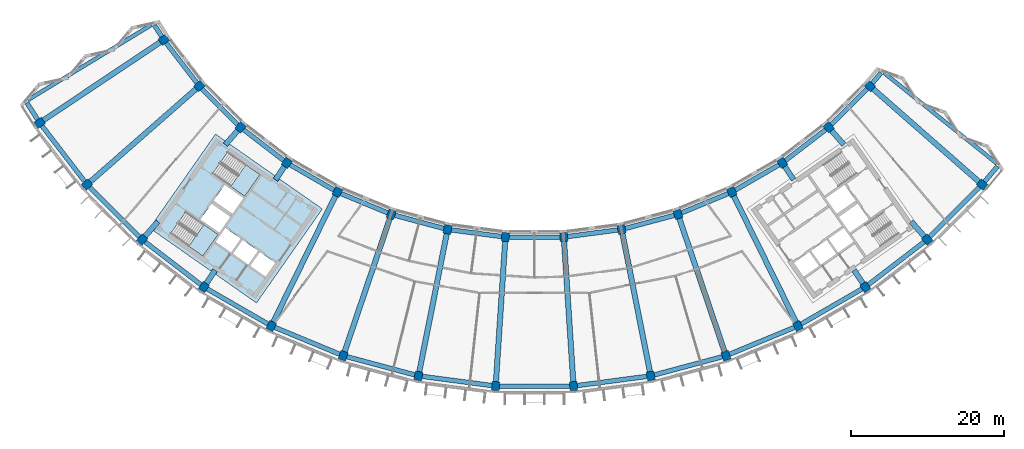
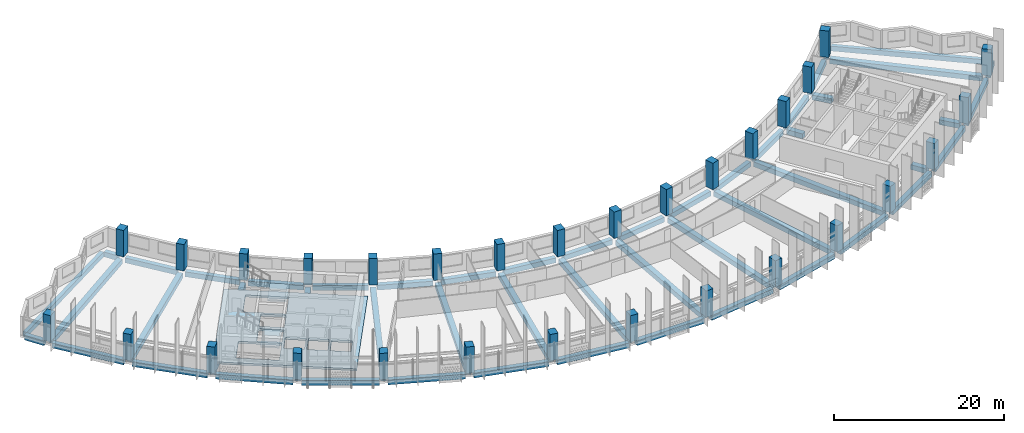
# One storey, part 1 of 28: 53 beams, 30 columns, 3 slabs, 2 elements without a shape of their own.
"""IFC4 building model written with IfcOpenShell, lengths in metres."""

from ifc_helpers import new_model, si_unit, direction, frame, origin, origin_2d, place, context, subcontext, project, spatial, polyline, rectangle, outline, extrude, material, layer, layer_set, material_profile, profile_set, type_object, element, aggregate, save


model = new_model("IFC4")

# Units and contexts
model_context = context("Model", 3, precision=1e-05, world=origin(), true_north=direction((0.0, 1.0)))
body_context = subcontext(model_context, "Body", "Model", "MODEL_VIEW")
ifc_project = project(units=[si_unit("LENGTHUNIT", "METRE"), si_unit("AREAUNIT", "SQUARE_METRE"), si_unit("VOLUMEUNIT", "CUBIC_METRE"), si_unit("PLANEANGLEUNIT", "RADIAN"), si_unit("MASSUNIT", "GRAM", prefix="KILO")], contexts=[model_context])

# Site, building, storey
site_placement = place(None, origin())
site = spatial("IfcSite", under=ifc_project, at=site_placement, CompositionType="ELEMENT")
building_placement = place(site_placement, origin())
building = spatial("IfcBuilding", under=site, at=building_placement, Name="Qamariyya Broadcast Tower", CompositionType="ELEMENT")
storey_placement = place(building_placement, frame((0.0, 0.0, 241.699951171875)))
storey = spatial("IfcBuildingStorey", under=building, at=storey_placement, Name="L58", CompositionType="ELEMENT", Elevation=241.699951171875)

# Columns
ifc_material_1 = material(Name="Concrete C60/75", Category="concrete")
ifc_material_profile_1 = material_profile(ifc_material_1, rectangle(XDim=1.0, YDim=1.14990234375, at=origin_2d()))
ifc_profile_set_1 = profile_set([ifc_material_profile_1], Name="Concrete C60/75")
column_type = type_object("IfcColumnType", Name="RC column 1000 x 1150 C60/75", PredefinedType="COLUMN", material=ifc_profile_set_1)
for number, where, z_axis, x_axis, name in (
    (1, (-48.43310546875, -32.362060546875, 0.0), (0.0, 0.0, 1.0), (0.55557023302, -0.831469612303, 0.0), "Column C11 L58 B-R03"),
    (2, (-64.646728515625, -43.195556640625, 0.0), (0.0, 0.0, 1.0), (0.55557023302, -0.831469612303, 0.0), "Column C11 L58 C-R03"),
    (3, (-43.794677734375, -38.406982421875, 0.0), (0.0, 0.0, 1.0), (0.6593458151, -0.751839807479, 0.0), "Column C11 L58 B-R04"),
    (4, (-58.45556640625, -51.26416015625, 0.0), (0.0, 0.0, 1.0), (0.6593458151, -0.751839807479, 0.0), "Column C11 L58 C-R04"),
    (5, (-38.406982421875, -43.794677734375, 0.0), (0.0, 0.0, 1.0), (0.751839807479, -0.6593458151, 0.0), "Column C11 L58 B-R05"),
    (6, (-51.26416015625, -58.45556640625, 0.0), (0.0, 0.0, 1.0), (0.751839807479, -0.6593458151, 0.0), "Column C11 L58 C-R05"),
    (7, (-32.362060546875, -48.43310546875, 0.0), (0.0, 0.0, 1.0), (0.831469612303, -0.55557023302, 0.0), "Column C11 L58 B-R06"),
    (8, (-43.195556640625, -64.646728515625, 0.0), (0.0, 0.0, 1.0), (0.831469612303, -0.55557023302, 0.0), "Column C11 L58 C-R06"),
    (9, (-25.763427734375, -52.242919921875, 0.0), (0.0, 0.0, 1.0), (0.896872741533, -0.442288690219, 0.0), "Column C11 L58 B-R07"),
    (10, (-34.387939453125, -69.73193359375, 0.0), (0.0, 0.0, 1.0), (0.896872741533, -0.442288690219, 0.0), "Column C11 L58 C-R07"),
    (11, (-18.723876953125, -55.15869140625, 0.0), (0.0, 0.0, 1.0), (0.946930129495, -0.321439465303, 0.0), "Column C11 L58 B-R08"),
    (12, (-24.991943359375, -73.623779296875, 0.0), (0.0, 0.0, 1.0), (0.946930129495, -0.321439465303, 0.0), "Column C11 L58 C-R08"),
    (13, (-11.364013671875, -57.130859375, 0.0), (0.0, 0.0, 1.0), (0.980785280403, -0.195090322016, 0.0), "Column C11 L58 B-R09"),
    (14, (-15.168212890625, -76.256103515625, 0.0), (0.0, 0.0, 1.0), (0.980785280403, -0.195090322016, 0.0), "Column C11 L58 C-R09"),
    (15, (-3.809814453125, -58.125244140625, 0.0), (0.0, 0.0, 1.0), (0.997858923239, -0.06540312923, 0.0), "Column C11 L58 B-R10"),
    (16, (-5.085205078125, -77.58349609375, 0.0), (0.0, 0.0, 1.0), (0.997858923239, -0.06540312923, 0.0), "Column C11 L58 C-R10"),
    (17, (3.809814453125, -58.125244140625, 0.0), (0.0, 0.0, 1.0), (0.997858923239, 0.06540312923, 0.0), "Column C11 L58 B-R11"),
    (18, (5.085205078125, -77.58349609375, 0.0), (0.0, 0.0, 1.0), (0.997858923239, 0.06540312923, 0.0), "Column C11 L58 C-R11"),
    (19, (11.364013671875, -57.130859375, 0.0), (0.0, 0.0, 1.0), (0.980785280403, 0.195090322016, 0.0), "Column C11 L58 B-R12"),
    (20, (15.168212890625, -76.256103515625, 0.0), (0.0, 0.0, 1.0), (0.980785280403, 0.195090322016, 0.0), "Column C11 L58 C-R12"),
    (21, (18.723876953125, -55.15869140625, 0.0), (0.0, 0.0, 1.0), (0.946930129495, 0.321439465303, 0.0), "Column C11 L58 B-R13"),
    (22, (24.991943359375, -73.623779296875, 0.0), (0.0, 0.0, 1.0), (0.946930129495, 0.321439465303, 0.0), "Column C11 L58 C-R13"),
    (23, (25.763427734375, -52.242919921875, 0.0), (0.0, 0.0, 1.0), (0.896872741533, 0.442288690219, 0.0), "Column C11 L58 B-R14"),
    (24, (34.387939453125, -69.73193359375, 0.0), (0.0, 0.0, 1.0), (0.896872741533, 0.442288690219, 0.0), "Column C11 L58 C-R14"),
    (25, (32.362060546875, -48.43310546875, 0.0), (0.0, 0.0, 1.0), (0.831469612303, 0.55557023302, 0.0), "Column C11 L58 B-R15"),
    (26, (43.195556640625, -64.646728515625, 0.0), (0.0, 0.0, 1.0), (0.831469612303, 0.55557023302, 0.0), "Column C11 L58 C-R15"),
    (27, (38.406982421875, -43.794677734375, 0.0), (0.0, 0.0, 1.0), (0.751839807479, 0.6593458151, 0.0), "Column C11 L58 B-R16"),
    (28, (51.26416015625, -58.45556640625, 0.0), (0.0, 0.0, 1.0), (0.751839807479, 0.6593458151, 0.0), "Column C11 L58 C-R16"),
    (29, (43.794677734375, -38.406982421875, 0.0), (0.0, 0.0, 1.0), (0.6593458151, 0.751839807479, 0.0), "Column C11 L58 B-R17"),
    (30, (58.45556640625, -51.26416015625, 0.0), (0.0, 0.0, 1.0), (0.6593458151, 0.751839807479, 0.0), "Column C11 L58 C-R17"),
):
    element("IfcColumn", number, at=place(storey_placement, frame(where, z_axis=z_axis, x_axis=x_axis)), inside=storey, type_object=column_type, Name=name, PredefinedType="COLUMN", context=body_context, shape_type="SweptSolid", body=[
        extrude(rectangle(XDim=1.0, YDim=1.14990234375, at=origin_2d()), origin(), (0.0, 0.0, 1.0), 3.800048828125),
    ])

# Beams
ifc_material_2 = material(Name="Concrete C40/50", Category="concrete")
ifc_material_profile_2 = material_profile(ifc_material_2, rectangle(XDim=0.60009765625, YDim=0.699951171875, at=origin_2d()))
ifc_profile_set_2 = profile_set([ifc_material_profile_2], Name="Concrete C40/50")
beam_type_1 = type_object("IfcBeamType", Name="RC edge beam 600 x 700 C40/50", PredefinedType="SPANDREL", material=ifc_profile_set_2)
for number, where, z_axis, x_axis, name in (
    (31, (-48.128173828125, -32.759521484375, -0.64990234375), (0.608788546151, -0.79333253184, 0.0), (0.79333253184, 0.608788546151, 0.0), "Edge beam B20 L58 B R03-R04"),
    (32, (-43.4404296875, -38.76123046875, -0.64990234375), (0.707106781187, -0.707106781187, 0.0), (0.707106781187, 0.707106781187, 0.0), "Edge beam B20 L58 B R04-R05"),
    (33, (-38.00927734375, -44.099609375, -0.64990234375), (0.79333253184, -0.608788546151, 0.0), (0.608788546151, 0.79333253184, 0.0), "Edge beam B20 L58 B R05-R06"),
):
    element("IfcBeam", number, at=place(storey_placement, frame(where, z_axis=z_axis, x_axis=x_axis)), inside=storey, type_object=beam_type_1, Name=name, PredefinedType="SPANDREL", context=body_context, shape_type="SweptSolid", body=[
        extrude(rectangle(XDim=0.60009765625, YDim=0.699951171875, at=origin_2d()), origin(), (0.0, 0.0, 1.0), 6.617431640625),
    ])
for number, where, z_axis, x_axis, name in (
    (34, (-31.927978515625, -48.68359375, -0.64990234375), (0.866027686223, -0.499996046679, 0.0), (0.499996046679, 0.866027686223, 0.0), "Edge beam B20 L58 B R06-R07"),
    (35, (-25.30029296875, -52.4345703125, -0.64990234375), (0.923870685948, -0.382704789159, 0.0), (0.382704789159, 0.923870685948, 0.0), "Edge beam B20 L58 B R07-R08"),
):
    element("IfcBeam", number, at=place(storey_placement, frame(where, z_axis=z_axis, x_axis=x_axis)), inside=storey, type_object=beam_type_1, Name=name, PredefinedType="SPANDREL", context=body_context, shape_type="SweptSolid", body=[
        extrude(rectangle(XDim=0.60009765625, YDim=0.699951171875, at=origin_2d()), origin(), (0.0, 0.0, 1.0), 6.6171875),
    ])
for number, where, z_axis, x_axis, name in (
    (36, (-18.23974609375, -55.288330078125, -0.64990234375), (0.965927466282, -0.258812924486, 0.0), (0.258812924486, 0.965927466282, 0.0), "Edge beam B20 L58 B R08-R09"),
    (37, (-10.8671875, -57.196044921875, -0.64990234375), (0.991444372314, -0.130529906942, 0.0), (0.130529906942, 0.991444372314, 0.0), "Edge beam B20 L58 B R09-R10"),
):
    element("IfcBeam", number, at=place(storey_placement, frame(where, z_axis=z_axis, x_axis=x_axis)), inside=storey, type_object=beam_type_1, Name=name, PredefinedType="SPANDREL", context=body_context, shape_type="SweptSolid", body=[
        extrude(rectangle(XDim=0.60009765625, YDim=0.699951171875, at=origin_2d()), origin(), (0.0, 0.0, 1.0), 6.617431640625),
    ])
beam_1_placement = place(storey_placement, frame((-3.30859375, -58.125244140625, -0.64990234375), z_axis=(1.0, 0.0, 0.0), x_axis=(0.0, 1.0, 0.0)))
element("IfcBeam", 38, at=beam_1_placement, inside=storey, type_object=beam_type_1, Name="Edge beam B20 L58 B R10-R11", PredefinedType="SPANDREL", context=body_context, shape_type="SweptSolid", body=[
    extrude(rectangle(XDim=0.60009765625, YDim=0.699951171875, at=origin_2d()), origin(), (0.0, 0.0, 1.0), 6.6171875),
])
for number, where, z_axis, x_axis, name in (
    (39, (4.306396484375, -58.059814453125, -0.64990234375), (0.991444372314, 0.130529906942, 0.0), (-0.130529906942, 0.991444372314, 0.0), "Edge beam B20 L58 B R11-R12"),
    (40, (11.847900390625, -57.0009765625, -0.64990234375), (0.965927466282, 0.258812924486, 0.0), (-0.258812924486, 0.965927466282, 0.0), "Edge beam B20 L58 B R12-R13"),
):
    element("IfcBeam", number, at=place(storey_placement, frame(where, z_axis=z_axis, x_axis=x_axis)), inside=storey, type_object=beam_type_1, Name=name, PredefinedType="SPANDREL", context=body_context, shape_type="SweptSolid", body=[
        extrude(rectangle(XDim=0.60009765625, YDim=0.699951171875, at=origin_2d()), origin(), (0.0, 0.0, 1.0), 6.617431640625),
    ])
for number, where, z_axis, x_axis, name in (
    (41, (19.186767578125, -54.967041015625, -0.64990234375), (0.923870685948, 0.382704789159, 0.0), (-0.382704789159, 0.923870685948, 0.0), "Edge beam B20 L58 B R13-R14"),
    (42, (26.197265625, -51.9921875, -0.64990234375), (0.866027686223, 0.499996046679, 0.0), (-0.499996046679, 0.866027686223, 0.0), "Edge beam B20 L58 B R14-R15"),
):
    element("IfcBeam", number, at=place(storey_placement, frame(where, z_axis=z_axis, x_axis=x_axis)), inside=storey, type_object=beam_type_1, Name=name, PredefinedType="SPANDREL", context=body_context, shape_type="SweptSolid", body=[
        extrude(rectangle(XDim=0.60009765625, YDim=0.699951171875, at=origin_2d()), origin(), (0.0, 0.0, 1.0), 6.6171875),
    ])
for number, where, z_axis, x_axis, name in (
    (43, (32.759521484375, -48.128173828125, -0.64990234375), (0.79333253184, 0.608788546151, 0.0), (-0.608788546151, 0.79333253184, 0.0), "Edge beam B20 L58 B R15-R16"),
    (44, (38.76123046875, -43.4404296875, -0.64990234375), (0.707106781187, 0.707106781187, 0.0), (-0.707106781187, 0.707106781187, 0.0), "Edge beam B20 L58 B R16-R17"),
):
    element("IfcBeam", number, at=place(storey_placement, frame(where, z_axis=z_axis, x_axis=x_axis)), inside=storey, type_object=beam_type_1, Name=name, PredefinedType="SPANDREL", context=body_context, shape_type="SweptSolid", body=[
        extrude(rectangle(XDim=0.60009765625, YDim=0.699951171875, at=origin_2d()), origin(), (0.0, 0.0, 1.0), 6.617431640625),
    ])
for number, where, z_axis, x_axis, name in (
    (45, (-64.341796875, -43.593017578125, -0.64990234375), (0.608761882331, -0.793352992445, 0.0), (0.793352992445, 0.608761882331, 0.0), "Edge beam B20 L58 C R03-R04"),
    (46, (-58.101318359375, -51.618408203125, -0.64990234375), (0.707106781187, -0.707106781187, 0.0), (0.707106781187, 0.707106781187, 0.0), "Edge beam B20 L58 C R04-R05"),
    (47, (-50.86669921875, -58.760498046875, -0.64990234375), (0.793352992445, -0.608761882331, 0.0), (0.608761882331, 0.793352992445, 0.0), "Edge beam B20 L58 C R05-R06"),
    (48, (-42.76171875, -64.897216796875, -0.64990234375), (0.866032154434, -0.49998830735, 0.0), (0.49998830735, 0.866032154434, 0.0), "Edge beam B20 L58 C R06-R07"),
    (49, (-33.925048828125, -69.923583984375, -0.64990234375), (0.923876946533, -0.382689675409, 0.0), (0.382689675409, 0.923876946533, 0.0), "Edge beam B20 L58 C R07-R08"),
):
    element("IfcBeam", number, at=place(storey_placement, frame(where, z_axis=z_axis, x_axis=x_axis)), inside=storey, type_object=beam_type_1, Name=name, PredefinedType="SPANDREL", context=body_context, shape_type="SweptSolid", body=[
        extrude(rectangle(XDim=0.60009765625, YDim=0.699951171875, at=origin_2d()), origin(), (0.0, 0.0, 1.0), 9.168212890625),
    ])
for number, where, z_axis, x_axis, name in (
    (50, (-24.5078125, -73.75341796875, -0.64990234375), (0.965919522093, -0.258842571536, 0.0), (0.258842571536, 0.965919522093, 0.0), "Edge beam B20 L58 C R08-R09"),
    (51, (-14.67138671875, -76.321533203125, -0.64990234375), (0.991446770895, -0.130511687147, 0.0), (0.130511687147, 0.991446770895, 0.0), "Edge beam B20 L58 C R09-R10"),
    (52, (-4.583984375, -77.58349609375, -0.64990234375), (1.0, 0.0, 0.0), (0.0, 1.0, 0.0), "Edge beam B20 L58 C R10-R11"),
    (53, (5.581787109375, -77.51806640625, -0.64990234375), (0.991446770895, 0.130511687147, 0.0), (-0.130511687147, 0.991446770895, 0.0), "Edge beam B20 L58 C R11-R12"),
    (54, (15.65234375, -76.12646484375, -0.64990234375), (0.965919522093, 0.258842571536, 0.0), (-0.258842571536, 0.965919522093, 0.0), "Edge beam B20 L58 C R12-R13"),
):
    element("IfcBeam", number, at=place(storey_placement, frame(where, z_axis=z_axis, x_axis=x_axis)), inside=storey, type_object=beam_type_1, Name=name, PredefinedType="SPANDREL", context=body_context, shape_type="SweptSolid", body=[
        extrude(rectangle(XDim=0.60009765625, YDim=0.699951171875, at=origin_2d()), origin(), (0.0, 0.0, 1.0), 9.16796875),
    ])
for number, where, z_axis, x_axis, name in (
    (55, (25.454833984375, -73.43212890625, -0.64990234375), (0.923876946533, 0.382689675409, 0.0), (-0.382689675409, 0.923876946533, 0.0), "Edge beam B20 L58 C R13-R14"),
    (56, (34.82177734375, -69.481201171875, -0.64990234375), (0.866032154434, 0.49998830735, 0.0), (-0.49998830735, 0.866032154434, 0.0), "Edge beam B20 L58 C R14-R15"),
    (57, (43.593017578125, -64.341796875, -0.64990234375), (0.793352992445, 0.608761882331, 0.0), (-0.608761882331, 0.793352992445, 0.0), "Edge beam B20 L58 C R15-R16"),
    (58, (51.618408203125, -58.101318359375, -0.64990234375), (0.707106781187, 0.707106781187, 0.0), (-0.707106781187, 0.707106781187, 0.0), "Edge beam B20 L58 C R16-R17"),
):
    element("IfcBeam", number, at=place(storey_placement, frame(where, z_axis=z_axis, x_axis=x_axis)), inside=storey, type_object=beam_type_1, Name=name, PredefinedType="SPANDREL", context=body_context, shape_type="SweptSolid", body=[
        extrude(rectangle(XDim=0.60009765625, YDim=0.699951171875, at=origin_2d()), origin(), (0.0, 0.0, 1.0), 9.168212890625),
    ])
ifc_material_profile_3 = material_profile(ifc_material_2, rectangle(XDim=0.60009765625, YDim=0.699951171875, at=origin_2d()))
ifc_profile_set_3 = profile_set([ifc_material_profile_3], Name="Concrete C40/50")
beam_type_2 = type_object("IfcBeamType", Name="RC horn beam 600 x 700 C40/50", PredefinedType="BEAM", material=ifc_profile_set_3)
beam_2_placement = place(storey_placement, frame((-48.701904296875, -31.940185546875, -0.64990234375), z_axis=(-0.537631535687, 0.843179892926, 0.0), x_axis=(-0.843179892926, -0.537631535687, 0.0)))
element("IfcBeam", 59, at=beam_2_placement, inside=storey, type_object=beam_type_2, Name="Horn beam B19 L58 W B-R03", PredefinedType="BEAM", context=body_context, shape_type="SweptSolid", body=[
    extrude(rectangle(XDim=0.60009765625, YDim=0.699951171875, at=origin_2d()), origin(), (0.0, 0.0, 1.0), 1.754638671875),
])
beam_3_placement = place(storey_placement, frame((-64.91552734375, -42.77392578125, -0.64990234375), z_axis=(-0.537594157109, 0.84320372523, 0.0), x_axis=(-0.84320372523, -0.537594157109, 0.0)))
element("IfcBeam", 60, at=beam_3_placement, inside=storey, type_object=beam_type_2, Name="Horn beam B19 L58 W C-R03", PredefinedType="BEAM", context=body_context, shape_type="SweptSolid", body=[
    extrude(rectangle(XDim=0.60009765625, YDim=0.699951171875, at=origin_2d()), origin(), (0.0, 0.0, 1.0), 2.593017578125),
])
beam_4_placement = place(storey_placement, frame((44.1162109375, -38.02392578125, -0.64990234375), z_axis=(0.643081137273, 0.765798048367, 0.0), x_axis=(-0.765798048367, 0.643081137273, 0.0)))
element("IfcBeam", 61, at=beam_4_placement, inside=storey, type_object=beam_type_2, Name="Horn beam B19 L58 E B-R17", PredefinedType="BEAM", context=body_context, shape_type="SweptSolid", body=[
    extrude(rectangle(XDim=0.60009765625, YDim=0.699951171875, at=origin_2d()), origin(), (0.0, 0.0, 1.0), 1.754638671875),
])
beam_5_placement = place(storey_placement, frame((58.777099609375, -50.881103515625, -0.64990234375), z_axis=(0.643050760773, 0.765823556095, 0.0), x_axis=(-0.765823556095, 0.643050760773, 0.0)))
element("IfcBeam", 62, at=beam_5_placement, inside=storey, type_object=beam_type_2, Name="Horn beam B19 L58 E C-R17", PredefinedType="BEAM", context=body_context, shape_type="SweptSolid", body=[
    extrude(rectangle(XDim=0.60009765625, YDim=0.699951171875, at=origin_2d()), origin(), (0.0, 0.0, 1.0), 2.593017578125),
])
ifc_material_profile_4 = material_profile(ifc_material_2, rectangle(XDim=0.5, YDim=0.699951171875, at=origin_2d()))
ifc_profile_set_4 = profile_set([ifc_material_profile_4], Name="Concrete C40/50")
beam_type_3 = type_object("IfcBeamType", Name="RC horn cap beam 500 x 700 C40/50", PredefinedType="BEAM", material=ifc_profile_set_4)
beam_6_placement = place(storey_placement, frame((-50.035888671875, -30.40576171875, -0.64990234375), z_axis=(-0.854585452951, -0.519310796734, 0.0), x_axis=(0.519310796734, -0.854585452951, 0.0)))
element("IfcBeam", 63, at=beam_6_placement, inside=storey, type_object=beam_type_3, Name="Horn cap beam B21 L58 W B-C", PredefinedType="BEAM", context=body_context, shape_type="SweptSolid", body=[
    extrude(rectangle(XDim=0.5, YDim=0.699951171875, at=origin_2d()), origin(), (0.0, 0.0, 1.0), 18.89990234375),
])
beam_7_placement = place(storey_placement, frame((45.63916015625, -36.676513671875, -0.64990234375), z_axis=(0.779488210445, -0.626416897742, 0.0), x_axis=(0.626416897742, 0.779488210445, 0.0)))
element("IfcBeam", 64, at=beam_7_placement, inside=storey, type_object=beam_type_3, Name="Horn cap beam B21 L58 E B-C", PredefinedType="BEAM", context=body_context, shape_type="SweptSolid", body=[
    extrude(rectangle(XDim=0.5, YDim=0.699951171875, at=origin_2d()), origin(), (0.0, 0.0, 1.0), 18.900146484375),
])
ifc_material_profile_5 = material_profile(ifc_material_2, rectangle(XDim=0.699951171875, YDim=0.699951171875, at=origin_2d()))
ifc_profile_set_5 = profile_set([ifc_material_profile_5], Name="Concrete C40/50")
beam_type_4 = type_object("IfcBeamType", Name="RC radial beam 700 x 700 C40/50", PredefinedType="BEAM", material=ifc_profile_set_5)
beam_8_placement = place(storey_placement, frame((-48.9111328125, -32.681396484375, -0.64990234375), z_axis=(-0.831468530479, -0.55557185208, 0.0), x_axis=(0.55557185208, -0.831468530479, 0.0)))
element("IfcBeam", 65, at=beam_8_placement, inside=storey, type_object=beam_type_4, Name="Radial beam B18 L58 R03 B-C", PredefinedType="BEAM", context=body_context, shape_type="SweptSolid", body=[
    extrude(rectangle(XDim=0.699951171875, YDim=0.699951171875, at=origin_2d()), origin(), (0.0, 0.0, 1.0), 18.35009765625),
])
beam_9_placement = place(storey_placement, frame((-44.22705078125, -38.7861328125, -0.64990234375), z_axis=(-0.751840222646, -0.659345341692, 0.0), x_axis=(0.659345341692, -0.751840222646, 0.0)))
element("IfcBeam", 66, at=beam_9_placement, inside=storey, type_object=beam_type_4, Name="Radial beam B18 L58 R04 B-C", PredefinedType="BEAM", context=body_context, shape_type="SweptSolid", body=[
    extrude(rectangle(XDim=0.699951171875, YDim=0.699951171875, at=origin_2d()), origin(), (0.0, 0.0, 1.0), 18.349853515625),
])
beam_10_placement = place(storey_placement, frame((-38.7861328125, -44.22705078125, -0.64990234375), z_axis=(-0.659347500472, -0.751838329444, 0.0), x_axis=(0.751838329444, -0.659347500472, 0.0)))
element("IfcBeam", 67, at=beam_10_placement, inside=storey, type_object=beam_type_4, Name="Radial beam B18 L58 R05 B-C", PredefinedType="BEAM", context=body_context, shape_type="SweptSolid", body=[
    extrude(rectangle(XDim=0.699951171875, YDim=0.699951171875, at=origin_2d()), origin(), (0.0, 0.0, 1.0), 2.43896484375),
])
beam_11_placement = place(storey_placement, frame((-49.1943359375, -56.095458984375, -0.64990234375), z_axis=(-0.65936701245, -0.751821217373, 0.0), x_axis=(0.751821217373, -0.65936701245, 0.0)))
element("IfcBeam", 68, at=beam_11_placement, inside=storey, type_object=beam_type_4, Name="Radial beam B18 L58 R05 B-C", PredefinedType="BEAM", context=body_context, shape_type="SweptSolid", body=[
    extrude(rectangle(XDim=0.699951171875, YDim=0.699951171875, at=origin_2d()), origin(), (0.0, 0.0, 1.0), 2.56396484375),
])
beam_12_placement = place(storey_placement, frame((-32.681396484375, -48.9111328125, -0.64990234375), z_axis=(-0.555589685374, -0.831456614326, 0.0), x_axis=(0.831456614326, -0.555589685374, 0.0)))
element("IfcBeam", 69, at=beam_12_placement, inside=storey, type_object=beam_type_4, Name="Radial beam B18 L58 R06 B-C", PredefinedType="BEAM", context=body_context, shape_type="SweptSolid", body=[
    extrude(rectangle(XDim=0.699951171875, YDim=0.699951171875, at=origin_2d()), origin(), (0.0, 0.0, 1.0), 2.08935546875),
])
beam_13_placement = place(storey_placement, frame((-41.733154296875, -62.458251953125, -0.64990234375), z_axis=(-0.555630982199, -0.831429017788, 0.0), x_axis=(0.831429017788, -0.555630982199, 0.0)))
element("IfcBeam", 70, at=beam_13_placement, inside=storey, type_object=beam_type_4, Name="Radial beam B18 L58 R06 B-C", PredefinedType="BEAM", context=body_context, shape_type="SweptSolid", body=[
    extrude(rectangle(XDim=0.699951171875, YDim=0.699951171875, at=origin_2d()), origin(), (0.0, 0.0, 1.0), 2.05712890625),
])
beam_14_placement = place(storey_placement, frame((-26.017578125, -52.758544921875, -0.64990234375), z_axis=(-0.442289405452, -0.896872388819, 0.0), x_axis=(0.896872388819, -0.442289405452, 0.0)))
element("IfcBeam", 71, at=beam_14_placement, inside=storey, type_object=beam_type_4, Name="Radial beam B18 L58 R07 B-C", PredefinedType="BEAM", context=body_context, shape_type="SweptSolid", body=[
    extrude(rectangle(XDim=0.699951171875, YDim=0.699951171875, at=origin_2d()), origin(), (0.0, 0.0, 1.0), 18.349853515625),
])
for number, where, z_axis, x_axis, name in (
    (72, (-18.90869140625, -55.703125, -0.64990234375), (-0.321439728167, -0.946930040265, 0.0), (0.946930040265, -0.321439728167, 0.0), "Radial beam B18 L58 R08 B-C"),
    (73, (-11.47607421875, -57.694580078125, -0.64990234375), (-0.195097720648, -0.980783808695, 0.0), (0.980783808695, -0.195097720648, 0.0), "Radial beam B18 L58 R09 B-C"),
    (74, (-3.847412109375, -58.698974609375, -0.64990234375), (-0.065405444204, -0.997858771505, 0.0), (0.997858771505, -0.065405444204, 0.0), "Radial beam B18 L58 R10 B-C"),
    (75, (3.847412109375, -58.698974609375, -0.64990234375), (0.065405444204, -0.997858771505, 0.0), (0.997858771505, 0.065405444204, 0.0), "Radial beam B18 L58 R11 B-C"),
    (76, (11.47607421875, -57.694580078125, -0.64990234375), (0.195097720648, -0.980783808695, 0.0), (0.980783808695, 0.195097720648, 0.0), "Radial beam B18 L58 R12 B-C"),
    (77, (18.90869140625, -55.703125, -0.64990234375), (0.321439728167, -0.946930040265, 0.0), (0.946930040265, 0.321439728167, 0.0), "Radial beam B18 L58 R13 B-C"),
):
    element("IfcBeam", number, at=place(storey_placement, frame(where, z_axis=z_axis, x_axis=x_axis)), inside=storey, type_object=beam_type_4, Name=name, PredefinedType="BEAM", context=body_context, shape_type="SweptSolid", body=[
        extrude(rectangle(XDim=0.699951171875, YDim=0.699951171875, at=origin_2d()), origin(), (0.0, 0.0, 1.0), 18.35009765625),
    ])
beam_15_placement = place(storey_placement, frame((26.017578125, -52.758544921875, -0.64990234375), z_axis=(0.442289405452, -0.896872388819, 0.0), x_axis=(0.896872388819, 0.442289405452, 0.0)))
element("IfcBeam", 78, at=beam_15_placement, inside=storey, type_object=beam_type_4, Name="Radial beam B18 L58 R14 B-C", PredefinedType="BEAM", context=body_context, shape_type="SweptSolid", body=[
    extrude(rectangle(XDim=0.699951171875, YDim=0.699951171875, at=origin_2d()), origin(), (0.0, 0.0, 1.0), 18.349853515625),
])
beam_16_placement = place(storey_placement, frame((32.681396484375, -48.9111328125, -0.64990234375), z_axis=(0.555589685374, -0.831456614326, 0.0), x_axis=(0.831456614326, 0.555589685374, 0.0)))
element("IfcBeam", 79, at=beam_16_placement, inside=storey, type_object=beam_type_4, Name="Radial beam B18 L58 R15 B-C", PredefinedType="BEAM", context=body_context, shape_type="SweptSolid", body=[
    extrude(rectangle(XDim=0.699951171875, YDim=0.699951171875, at=origin_2d()), origin(), (0.0, 0.0, 1.0), 2.08935546875),
])
beam_17_placement = place(storey_placement, frame((41.733154296875, -62.458251953125, -0.64990234375), z_axis=(0.555630982199, -0.831429017788, 0.0), x_axis=(0.831429017788, 0.555630982199, 0.0)))
element("IfcBeam", 80, at=beam_17_placement, inside=storey, type_object=beam_type_4, Name="Radial beam B18 L58 R15 B-C", PredefinedType="BEAM", context=body_context, shape_type="SweptSolid", body=[
    extrude(rectangle(XDim=0.699951171875, YDim=0.699951171875, at=origin_2d()), origin(), (0.0, 0.0, 1.0), 2.05712890625),
])
beam_18_placement = place(storey_placement, frame((38.7861328125, -44.22705078125, -0.64990234375), z_axis=(0.659347500472, -0.751838329444, 0.0), x_axis=(0.751838329444, 0.659347500472, 0.0)))
element("IfcBeam", 81, at=beam_18_placement, inside=storey, type_object=beam_type_4, Name="Radial beam B18 L58 R16 B-C", PredefinedType="BEAM", context=body_context, shape_type="SweptSolid", body=[
    extrude(rectangle(XDim=0.699951171875, YDim=0.699951171875, at=origin_2d()), origin(), (0.0, 0.0, 1.0), 2.43896484375),
])
beam_19_placement = place(storey_placement, frame((49.1943359375, -56.095458984375, -0.64990234375), z_axis=(0.65936701245, -0.751821217373, 0.0), x_axis=(0.751821217373, 0.65936701245, 0.0)))
element("IfcBeam", 82, at=beam_19_placement, inside=storey, type_object=beam_type_4, Name="Radial beam B18 L58 R16 B-C", PredefinedType="BEAM", context=body_context, shape_type="SweptSolid", body=[
    extrude(rectangle(XDim=0.699951171875, YDim=0.699951171875, at=origin_2d()), origin(), (0.0, 0.0, 1.0), 2.56396484375),
])
beam_20_placement = place(storey_placement, frame((44.22705078125, -38.7861328125, -0.64990234375), z_axis=(0.751840222646, -0.659345341692, 0.0), x_axis=(0.659345341692, 0.751840222646, 0.0)))
element("IfcBeam", 83, at=beam_20_placement, inside=storey, type_object=beam_type_4, Name="Radial beam B18 L58 R17 B-C", PredefinedType="BEAM", context=body_context, shape_type="SweptSolid", body=[
    extrude(rectangle(XDim=0.699951171875, YDim=0.699951171875, at=origin_2d()), origin(), (0.0, 0.0, 1.0), 18.349853515625),
])

# Slab
ifc_layer_1 = layer(ifc_material_2, 0.300048828125)
ifc_layer_set_1 = layer_set([ifc_layer_1], Name="Core floor slab 300 mm Concrete C40/50")
slab_type_1 = type_object("IfcSlabType", Name="Core floor slab 300 mm Concrete C40/50", PredefinedType="FLOOR", material=ifc_layer_set_1)
slab_1_placement = place(storey_placement, frame((0.0, 0.0, -0.300048828125)))
element("IfcSlab", 84, at=slab_1_placement, inside=storey, type_object=slab_type_1, Name="k-W-L58-slab", PredefinedType="FLOOR", context=body_context, shape_type="SweptSolid", body=[
    extrude(outline(polyline([(-50.286376953125, -56.95751953125), (-36.32373046875, -66.734375), (-27.719970703125, -54.447021484375), (-41.6826171875, -44.67041015625), (-50.286376953125, -56.95751953125)]), holes=[polyline([(-33.87353515625, -61.49169921875), (-35.88037109375, -60.08642578125), (-37.142333984375, -61.888427734375), (-35.13525390625, -63.293701171875), (-33.87353515625, -61.49169921875)]), polyline([(-36.126220703125, -59.914306640625), (-38.133056640625, -58.509033203125), (-39.394775390625, -60.311279296875), (-37.387939453125, -61.716552734375), (-36.126220703125, -59.914306640625)]), polyline([(-38.378662109375, -58.3369140625), (-40.3857421875, -56.931640625), (-41.6474609375, -58.73388671875), (-39.640625, -60.13916015625), (-38.378662109375, -58.3369140625)]), polyline([(-39.742431640625, -55.489990234375), (-42.199951171875, -53.769287109375), (-43.6337890625, -55.817138671875), (-41.17626953125, -57.537841796875), (-39.742431640625, -55.489990234375)]), polyline([(-39.45556640625, -55.080322265625), (-41.9130859375, -53.359619140625), (-40.47900390625, -51.311767578125), (-38.021728515625, -53.032470703125), (-39.45556640625, -55.080322265625)]), polyline([(-42.06103515625, -49.837890625), (-37.849609375, -52.78662109375), (-35.870849609375, -49.960693359375), (-40.082275390625, -47.01171875), (-42.06103515625, -49.837890625)]), polyline([(-47.538818359375, -57.66064453125), (-43.3271484375, -60.609619140625), (-41.348388671875, -57.783447265625), (-45.559814453125, -54.834716796875), (-47.538818359375, -57.66064453125)])]), origin(), (0.0, 0.0, 1.0), 0.300048828125),
])

# Stair, slab
ifc_material_3 = material(Name="Concrete C50/60", Category="concrete")
stair_type = type_object("IfcStairType", Name="Exit stair 22 risers of 173 mm", PredefinedType="HALF_TURN_STAIR", material=ifc_material_3)
stair_1_placement = place(storey_placement, origin())
stair_1 = element("IfcStair", 85, at=stair_1_placement, inside=storey, type_object=stair_type, Name="L58 Stair W2", PredefinedType="HALF_TURN_STAIR")
ifc_layer_2 = layer(ifc_material_3, 0.199951171875)
ifc_layer_set_2 = layer_set([ifc_layer_2], Name="Stair landing")
slab_type_2 = type_object("IfcSlabType", Name="Stair landing", PredefinedType="LANDING", material=ifc_layer_set_2)
slab_2_placement = place(storey_placement, frame((0.0, 0.0, 1.699951171875)))
slab_2 = element("IfcSlab", 86, at=slab_2_placement, type_object=slab_type_2, Name="ST-W2 landing 1", PredefinedType="LANDING", context=body_context, shape_type="SweptSolid", body=[
    extrude(outline(polyline([(-39.692138671875, -51.49658203125), (-37.849609375, -52.78662109375), (-35.870849609375, -49.960693359375), (-37.71337890625, -48.67041015625), (-39.692138671875, -51.49658203125)])), origin(), (0.0, 0.0, 1.0), 0.2001953125),
])
aggregate(stair_1, [slab_2])

stair_2_placement = place(storey_placement, origin())
stair_2 = element("IfcStair", 87, at=stair_2_placement, inside=storey, type_object=stair_type, Name="L58 Stair W1", PredefinedType="HALF_TURN_STAIR")
slab_3_placement = place(storey_placement, frame((0.0, 0.0, 1.699951171875)))
slab_3 = element("IfcSlab", 88, at=slab_3_placement, type_object=slab_type_2, Name="ST-W1 landing 1", PredefinedType="LANDING", context=body_context, shape_type="SweptSolid", body=[
    extrude(outline(polyline([(-45.169677734375, -59.319580078125), (-43.3271484375, -60.609619140625), (-41.348388671875, -57.783447265625), (-43.19091796875, -56.493408203125), (-45.169677734375, -59.319580078125)])), origin(), (0.0, 0.0, 1.0), 0.2001953125),
])
aggregate(stair_2, [slab_3])

save(model, "model.ifc")
